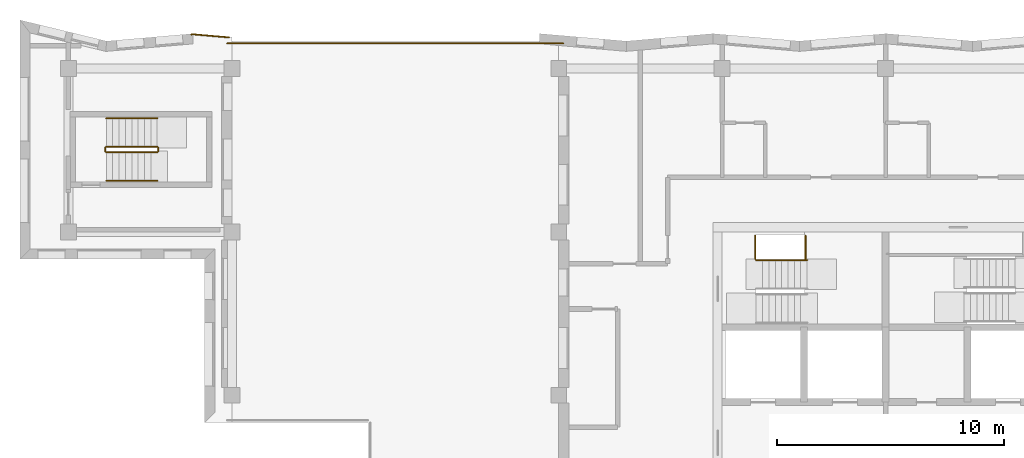
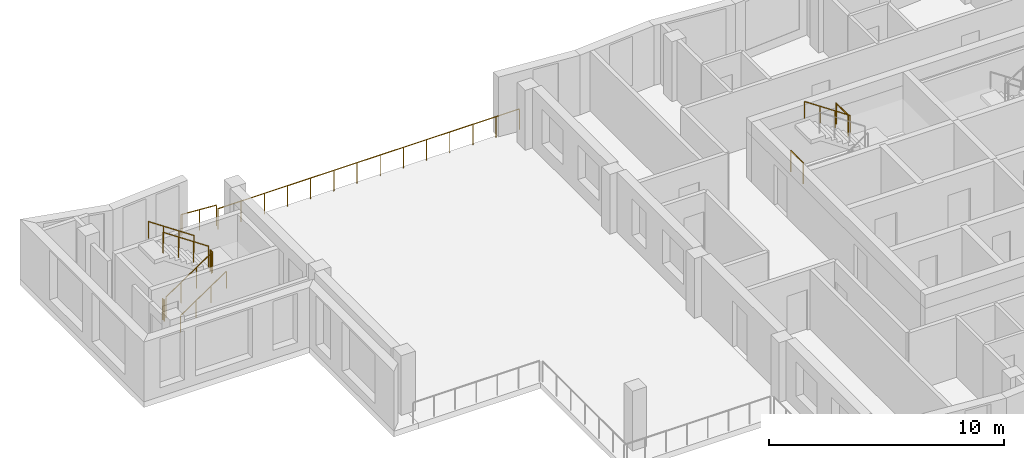
# One storey, part 10 of 12: 11 railings.
"""IFC4 building model written with IfcOpenShell, lengths in metres."""

from ifc_helpers import new_model, si_unit, direction, frame, origin, origin_2d, place, context, subcontext, project, spatial, circle, extrude, material, type_object, element, save


model = new_model("IFC4")

# Units and contexts
model_context = context("Model", 3, precision=1e-05, world=origin(), true_north=direction((0.0, 1.0)))
body_context = subcontext(model_context, "Body", "Model", "MODEL_VIEW")
ifc_project = project(units=[si_unit("LENGTHUNIT", "METRE"), si_unit("AREAUNIT", "SQUARE_METRE"), si_unit("VOLUMEUNIT", "CUBIC_METRE"), si_unit("PLANEANGLEUNIT", "RADIAN"), si_unit("MASSUNIT", "GRAM", prefix="KILO")], contexts=[model_context])

# Site, building, storey
site_placement = place(None, origin())
site = spatial("IfcSite", under=ifc_project, at=site_placement, CompositionType="ELEMENT")
building_placement = place(site_placement, origin())
building = spatial("IfcBuilding", under=site, at=building_placement, Name="Windrow Commons", CompositionType="ELEMENT")
storey_placement = place(building_placement, frame((0.0, 0.0, 247.2)))
storey = spatial("IfcBuildingStorey", under=building, at=storey_placement, Name="L67", CompositionType="ELEMENT", Elevation=247.2)

# Railings
ifc_material_1 = material(Name="Steel S355", Category="steel")
railing_type_1 = type_object("IfcRailingType", Name="Core stair guard 1100", PredefinedType="GUARDRAIL", material=ifc_material_1)
for number, where, name in (
    (1, (59.05, 63.6, 0.0), "L67 ST-A1 stair guard 3"),
    (2, (61.27, 63.6, 1.7), "L67 ST-A1 stair guard 4"),
):
    element("IfcRailing", number, at=place(storey_placement, frame(where)), inside=storey, type_object=railing_type_1, Name=name, PredefinedType="GUARDRAIL", context=body_context, shape_type="SweptSolid", body=[
        extrude(circle(Radius=0.024, at=origin_2d()), frame((0.0, 0.0, 1.076), z_axis=(0.0, 1.0, 0.0), x_axis=(-1.0, 0.0, 0.0)), (0.0, 0.0, 1.0), 1.03),
        extrude(circle(Radius=0.021, at=origin_2d()), origin(), (0.0, 0.0, 1.0), 1.052),
        extrude(circle(Radius=0.021, at=origin_2d()), frame((0.0, 1.03, 0.0)), (0.0, 0.0, 1.0), 1.052),
    ])
railing_1_placement = place(storey_placement, frame((30.475, 68.3, 0.1889)))
element("IfcRailing", 3, at=railing_1_placement, inside=storey, type_object=railing_type_1, Name="L67 ST-W stair guard 1", PredefinedType="GUARDRAIL", context=body_context, shape_type="SweptSolid", body=[
    extrude(circle(Radius=0.024, at=origin_2d()), frame((0.0, 0.0, 1.076), z_axis=(0.8290030985, 0.0, 0.5592440099), x_axis=(0.0, 1.0, 0.0)), (0.0, 0.0, 1.0), 2.702),
    extrude(circle(Radius=0.021, at=origin_2d()), origin(), (0.0, 0.0, 1.0), 1.052),
    extrude(circle(Radius=0.021, at=origin_2d()), frame((0.7467, 0.0, 0.5037)), (0.0, 0.0, 1.0), 1.052),
    extrude(circle(Radius=0.021, at=origin_2d()), frame((1.4933, 0.0, 1.0074)), (0.0, 0.0, 1.0), 1.052),
    extrude(circle(Radius=0.021, at=origin_2d()), frame((2.24, 0.0, 1.5111)), (0.0, 0.0, 1.0), 1.052),
])
railing_2_placement = place(storey_placement, frame((32.765, 68.35, 1.7)))
element("IfcRailing", 4, at=railing_2_placement, inside=storey, type_object=railing_type_1, Name="L67 ST-W stair guard 2", PredefinedType="GUARDRAIL", context=body_context, shape_type="SweptSolid", body=[
    extrude(circle(Radius=0.024, at=origin_2d()), frame((0.0, 0.0, 1.076), z_axis=(0.0, 1.0, 0.0), x_axis=(-1.0, 0.0, 0.0)), (0.0, 0.0, 1.0), 0.15),
    extrude(circle(Radius=0.021, at=origin_2d()), origin(), (0.0, 0.0, 1.0), 1.052),
    extrude(circle(Radius=0.021, at=origin_2d()), frame((0.0, 0.15, 0.0)), (0.0, 0.0, 1.0), 1.052),
])
railing_3_placement = place(storey_placement, frame((32.715, 68.55, 1.8889)))
element("IfcRailing", 5, at=railing_3_placement, inside=storey, type_object=railing_type_1, Name="L67 ST-W stair guard 3", PredefinedType="GUARDRAIL", context=body_context, shape_type="SweptSolid", body=[
    extrude(circle(Radius=0.024, at=origin_2d()), frame((0.0, 0.0, 1.076), z_axis=(-0.8290030985, 0.0, 0.5592440099), x_axis=(0.0, -1.0, 0.0)), (0.0, 0.0, 1.0), 2.702),
    extrude(circle(Radius=0.021, at=origin_2d()), origin(), (0.0, 0.0, 1.0), 1.052),
    extrude(circle(Radius=0.021, at=origin_2d()), frame((-0.7467, 0.0, 0.5037)), (0.0, 0.0, 1.0), 1.052),
    extrude(circle(Radius=0.021, at=origin_2d()), frame((-1.4933, 0.0, 1.0074)), (0.0, 0.0, 1.0), 1.052),
    extrude(circle(Radius=0.021, at=origin_2d()), frame((-2.24, 0.0, 1.5111)), (0.0, 0.0, 1.0), 1.052),
])
railing_4_placement = place(storey_placement, frame((30.425, 68.35, 0.0)))
element("IfcRailing", 6, at=railing_4_placement, inside=storey, type_object=railing_type_1, Name="L67 ST-W stair guard 4", PredefinedType="GUARDRAIL", context=body_context, shape_type="SweptSolid", body=[
    extrude(circle(Radius=0.024, at=origin_2d()), frame((0.0, 0.0, 1.076), z_axis=(0.0, 1.0, 0.0), x_axis=(-1.0, 0.0, 0.0)), (0.0, 0.0, 1.0), 0.15),
    extrude(circle(Radius=0.021, at=origin_2d()), origin(), (0.0, 0.0, 1.0), 1.052),
    extrude(circle(Radius=0.021, at=origin_2d()), frame((0.0, 0.15, 0.0)), (0.0, 0.0, 1.0), 1.052),
])
ifc_material_2 = material(Name="Steel S355", Category="steel")
railing_type_2 = type_object("IfcRailingType", Name="Core stair handrail 900", PredefinedType="HANDRAIL", material=ifc_material_2)
railing_5_placement = place(storey_placement, frame((61.34, 63.55, 1.8889)))
element("IfcRailing", 7, at=railing_5_placement, inside=storey, type_object=railing_type_2, Name="L67 ST-A1 stair handrail 2", PredefinedType="HANDRAIL", context=body_context, shape_type="SweptSolid", body=[
    extrude(circle(Radius=0.024, at=origin_2d()), frame((0.0, 0.0, 0.876), z_axis=(-0.8290030985, 0.0, 0.5592440099), x_axis=(0.0, -1.0, 0.0)), (0.0, 0.0, 1.0), 2.702),
    extrude(circle(Radius=0.021, at=origin_2d()), origin(), (0.0, 0.0, 1.0), 0.852),
    extrude(circle(Radius=0.021, at=origin_2d()), frame((-0.7467, 0.0, 0.5037)), (0.0, 0.0, 1.0), 0.852),
    extrude(circle(Radius=0.021, at=origin_2d()), frame((-1.4933, 0.0, 1.0074)), (0.0, 0.0, 1.0), 0.852),
    extrude(circle(Radius=0.021, at=origin_2d()), frame((-2.24, 0.0, 1.5111)), (0.0, 0.0, 1.0), 0.852),
])
railing_6_placement = place(storey_placement, frame((30.475, 67.05, 0.1889)))
element("IfcRailing", 8, at=railing_6_placement, inside=storey, type_object=railing_type_2, Name="L67 ST-W stair handrail 1", PredefinedType="HANDRAIL", context=body_context, shape_type="SweptSolid", body=[
    extrude(circle(Radius=0.024, at=origin_2d()), frame((0.0, 0.0, 0.876), z_axis=(0.8290030985, 0.0, 0.5592440099), x_axis=(0.0, 1.0, 0.0)), (0.0, 0.0, 1.0), 2.702),
    extrude(circle(Radius=0.021, at=origin_2d()), origin(), (0.0, 0.0, 1.0), 0.852),
    extrude(circle(Radius=0.021, at=origin_2d()), frame((0.7467, 0.0, 0.5037)), (0.0, 0.0, 1.0), 0.852),
    extrude(circle(Radius=0.021, at=origin_2d()), frame((1.4933, 0.0, 1.0074)), (0.0, 0.0, 1.0), 0.852),
    extrude(circle(Radius=0.021, at=origin_2d()), frame((2.24, 0.0, 1.5111)), (0.0, 0.0, 1.0), 0.852),
])
railing_7_placement = place(storey_placement, frame((32.715, 69.8, 1.8889)))
element("IfcRailing", 9, at=railing_7_placement, inside=storey, type_object=railing_type_2, Name="L67 ST-W stair handrail 2", PredefinedType="HANDRAIL", context=body_context, shape_type="SweptSolid", body=[
    extrude(circle(Radius=0.024, at=origin_2d()), frame((0.0, 0.0, 0.876), z_axis=(-0.8290030985, 0.0, 0.5592440099), x_axis=(0.0, -1.0, 0.0)), (0.0, 0.0, 1.0), 2.702),
    extrude(circle(Radius=0.021, at=origin_2d()), origin(), (0.0, 0.0, 1.0), 0.852),
    extrude(circle(Radius=0.021, at=origin_2d()), frame((-0.7467, 0.0, 0.5037)), (0.0, 0.0, 1.0), 0.852),
    extrude(circle(Radius=0.021, at=origin_2d()), frame((-1.4933, 0.0, 1.0074)), (0.0, 0.0, 1.0), 0.852),
    extrude(circle(Radius=0.021, at=origin_2d()), frame((-2.24, 0.0, 1.5111)), (0.0, 0.0, 1.0), 0.852),
])
ifc_material_3 = material(Name="Stainless steel S316 balustrade with toughened glass infill", Category="steel")
railing_type_3 = type_object("IfcRailingType", Name="Terrace guard 1100", PredefinedType="BALUSTRADE", material=ifc_material_3)
railing_8_placement = place(storey_placement, frame((50.6, 73.1, 0.0)))
element("IfcRailing", 10, at=railing_8_placement, inside=storey, type_object=railing_type_3, Name="Portal floor guard 1", PredefinedType="BALUSTRADE", context=body_context, shape_type="SweptSolid", body=[
    extrude(circle(Radius=0.025, at=origin_2d()), frame((0.0, 0.0, 1.075), z_axis=(-1.0, 0.0, 0.0), x_axis=(0.0, -1.0, 0.0)), (0.0, 0.0, 1.0), 14.8),
    extrude(circle(Radius=0.02, at=origin_2d()), origin(), (0.0, 0.0, 1.0), 1.05),
    extrude(circle(Radius=0.02, at=origin_2d()), frame((-1.1385, 0.0, 0.0)), (0.0, 0.0, 1.0), 1.05),
    extrude(circle(Radius=0.02, at=origin_2d()), frame((-2.2769, 0.0, 0.0)), (0.0, 0.0, 1.0), 1.05),
    extrude(circle(Radius=0.02, at=origin_2d()), frame((-3.4154, 0.0, 0.0)), (0.0, 0.0, 1.0), 1.05),
    extrude(circle(Radius=0.02, at=origin_2d()), frame((-4.5538, 0.0, 0.0)), (0.0, 0.0, 1.0), 1.05),
    extrude(circle(Radius=0.02, at=origin_2d()), frame((-5.6923, 0.0, 0.0)), (0.0, 0.0, 1.0), 1.05),
    extrude(circle(Radius=0.02, at=origin_2d()), frame((-6.8308, 0.0, 0.0)), (0.0, 0.0, 1.0), 1.05),
    extrude(circle(Radius=0.02, at=origin_2d()), frame((-7.9692, 0.0, 0.0)), (0.0, 0.0, 1.0), 1.05),
    extrude(circle(Radius=0.02, at=origin_2d()), frame((-9.1077, 0.0, 0.0)), (0.0, 0.0, 1.0), 1.05),
    extrude(circle(Radius=0.02, at=origin_2d()), frame((-10.2462, 0.0, 0.0)), (0.0, 0.0, 1.0), 1.05),
    extrude(circle(Radius=0.02, at=origin_2d()), frame((-11.3846, 0.0, 0.0)), (0.0, 0.0, 1.0), 1.05),
    extrude(circle(Radius=0.02, at=origin_2d()), frame((-12.5231, 0.0, 0.0)), (0.0, 0.0, 1.0), 1.05),
    extrude(circle(Radius=0.02, at=origin_2d()), frame((-13.6615, 0.0, 0.0)), (0.0, 0.0, 1.0), 1.05),
    extrude(circle(Radius=0.02, at=origin_2d()), frame((-14.8, 0.0, 0.0)), (0.0, 0.0, 1.0), 1.05),
])
railing_9_placement = place(storey_placement, frame((34.2076, 73.4919, 0.0)))
element("IfcRailing", 11, at=railing_9_placement, inside=storey, type_object=railing_type_3, Name="Edge guard L67 1", PredefinedType="BALUSTRADE", context=body_context, shape_type="SweptSolid", body=[
    extrude(circle(Radius=0.025, at=origin_2d()), frame((0.0, 0.0, 1.075), z_axis=(0.9962968365, 0.0859803095, 0.0), x_axis=(-0.0859803095, 0.9962968365, 0.0)), (0.0, 0.0, 1.0), 0.093),
    extrude(circle(Radius=0.025, at=origin_2d()), frame((0.0927, 0.008, 1.075), z_axis=(0.9962814513, -0.0861583997, 0.0), x_axis=(0.0861583997, 0.9962814513, 0.0)), (0.0, 0.0, 1.0), 1.5843),
    extrude(circle(Radius=0.02, at=origin_2d()), origin(), (0.0, 0.0, 1.0), 1.05),
    extrude(circle(Radius=0.02, at=origin_2d()), frame((0.0927, 0.008, 0.0)), (0.0, 0.0, 1.0), 1.05),
    extrude(circle(Radius=0.02, at=origin_2d()), frame((0.8819, -0.0603, 0.0)), (0.0, 0.0, 1.0), 1.05),
    extrude(circle(Radius=0.02, at=origin_2d()), frame((1.6711, -0.1285, 0.0)), (0.0, 0.0, 1.0), 1.05),
])

save(model, "model.ifc")
